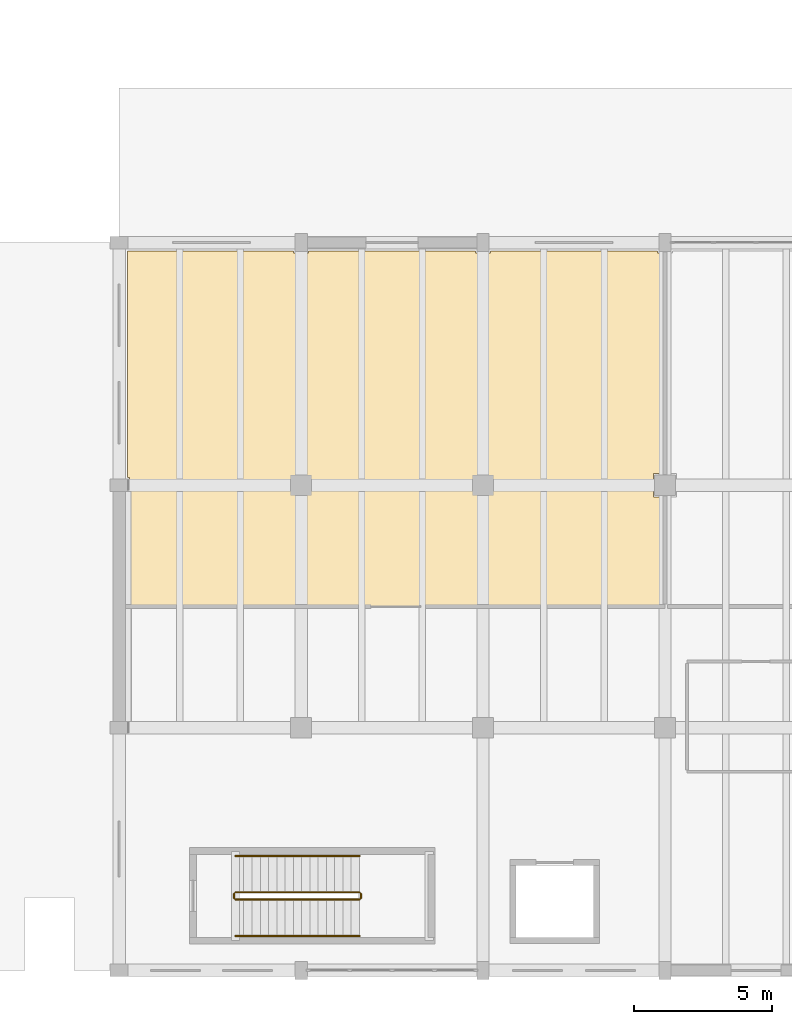
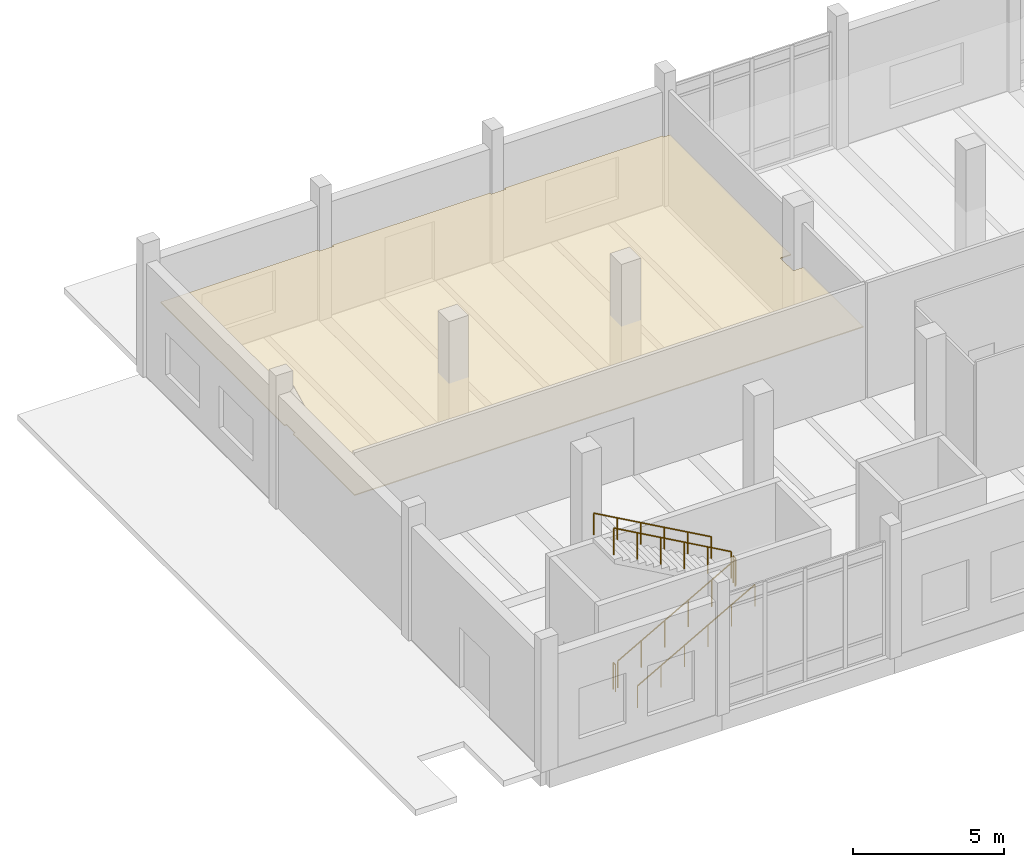
# One storey, part 61 of 72: 6 railings, 1 covering.
"""IFC4 building model written with IfcOpenShell, lengths in metres."""

import ifcopenshell
import ifcopenshell.guid

model = None  # the IFC model being written
_history = None  # IfcOwnerHistory: only IFC2X3 demands one
_inside = {}  # id of a spatial element -> (the spatial element, [elements in it])
_under = {}  # id of a project, library or spatial element -> (it, [spatial elements below it])
_declared = {}  # id of a project -> (the project, [libraries it declares])
_typed = {}  # id of a type object -> (the type object, [elements of that type])
_made_of = {}  # id of a material, layer set ... -> (it, [elements and type objects made of it])


def new_model(schema):
    """Start an empty IFC model of exactly this schema.

    Asked for "IFC4X3", IfcOpenShell would pick the latest addendum, in which some entities
    have other attributes; the version numbers below select the first issue.
    IFC2X3 requires an IfcOwnerHistory on every rooted entity: one is made here for all.
    """
    global model, _history
    if schema == "IFC4X3":
        model = ifcopenshell.file(schema_version=(4, 3, 0, 0))
    else:
        model = ifcopenshell.file(schema=schema)
    _inside.clear()
    _under.clear()
    _declared.clear()
    _typed.clear()
    _made_of.clear()
    _history = None
    if model.schema == "IFC2X3":
        org = make("IfcOrganization", Name="unknown")
        user = make(
            "IfcPersonAndOrganization",
            ThePerson=make("IfcPerson", FamilyName="unknown"),
            TheOrganization=org,
        )
        app = make(
            "IfcApplication",
            ApplicationDeveloper=org,
            Version="unknown",
            ApplicationFullName="unknown",
            ApplicationIdentifier="unknown",
        )
        _history = make(
            "IfcOwnerHistory",
            OwningUser=user,
            OwningApplication=app,
            ChangeAction="ADDED",
            CreationDate=0,
        )
    return model


def make(cls, **values):
    """One entity of the class cls with the attributes given. An attribute that is None is left unset."""
    return model.create_entity(
        cls, **{name: value for name, value in values.items() if value is not None}
    )


def rooted(cls, **values):
    """An entity with a GlobalId (a new one), such as an element, a storey or a relation."""
    return make(cls, GlobalId=ifcopenshell.guid.new(), OwnerHistory=_history, **values)


def si_unit(unit_type, name, prefix=None):
    """IfcSIUnit, for example si_unit("LENGTHUNIT", "METRE", prefix="MILLI")."""
    return make("IfcSIUnit", UnitType=unit_type, Prefix=prefix, Name=name)


def assignment(units):
    """IfcUnitAssignment: the units of a project."""
    return None if units is None else make("IfcUnitAssignment", Units=units)


def point(xyz):
    """IfcCartesianPoint."""
    return None if xyz is None else make("IfcCartesianPoint", Coordinates=xyz)


def direction(xyz):
    """IfcDirection."""
    return None if xyz is None else make("IfcDirection", DirectionRatios=xyz)


def frame(location, z_axis=None, x_axis=None):
    """IfcAxis2Placement3D, a coordinate frame: its origin and axes. An axis left out is left unset."""
    return make(
        "IfcAxis2Placement3D",
        Location=point(location),
        Axis=direction(z_axis),
        RefDirection=direction(x_axis),
    )


def frame_2d(location, x_axis=None):
    """IfcAxis2Placement2D, a coordinate frame in the plane: its origin and x axis."""
    return make(
        "IfcAxis2Placement2D", Location=point(location), RefDirection=direction(x_axis)
    )


def origin():
    """The frame at (0, 0, 0) with its axes left unset."""
    return frame((0.0, 0.0, 0.0))


def origin_2d():
    """The frame at (0, 0) in the plane with its x axis left unset."""
    return frame_2d((0.0, 0.0))


def place(relative_to, where):
    """IfcLocalPlacement: puts the frame where relative to a parent placement (None: the world)."""
    return make(
        "IfcLocalPlacement", PlacementRelTo=relative_to, RelativePlacement=where
    )


def context(
    kind, dimensions, precision=None, world=None, true_north=None, identifier=None
):
    """IfcGeometricRepresentationContext, for example the 3D "Model" context."""
    return make(
        "IfcGeometricRepresentationContext",
        ContextIdentifier=identifier,
        ContextType=kind,
        CoordinateSpaceDimension=dimensions,
        Precision=precision,
        WorldCoordinateSystem=world,
        TrueNorth=true_north,
    )


def subcontext(parent, identifier, kind, view, scale=None):
    """IfcGeometricRepresentationSubContext, for example "Body" below "Model"."""
    return make(
        "IfcGeometricRepresentationSubContext",
        ContextIdentifier=identifier,
        ContextType=kind,
        ParentContext=parent,
        TargetScale=scale,
        TargetView=view,
    )


def project(units=None, contexts=None):
    """IfcProject with its units and contexts."""
    return rooted(
        "IfcProject",
        Name="project",
        RepresentationContexts=contexts,
        UnitsInContext=assignment(units),
    )


def spatial(cls, under=None, at=None, **own):
    """A site, building, storey or space (cls), placed at a placement, below another one or the project."""
    s = rooted(cls, ObjectPlacement=at, **own)
    if under is not None:
        _under.setdefault(under.id(), (under, []))[1].append(s)
    return s


def polyline(points):
    """IfcPolyline through the points."""
    return make("IfcPolyline", Points=[point(p) for p in points])


def profile(cls, at=None, kind="AREA", **sizes):
    """A parametric profile (cls). Its sizes go by their IFC names, for example OverallWidth=200.0."""
    return make(cls, ProfileType=kind, Position=at, **sizes)


def circle(**sizes):
    """IfcCircleProfileDef."""
    return profile("IfcCircleProfileDef", **sizes)


def outline(outer, holes=None, kind="AREA"):
    """IfcArbitraryClosedProfileDef: a profile drawn as a closed curve; with holes, ...WithVoids."""
    if holes is None:
        return make("IfcArbitraryClosedProfileDef", ProfileType=kind, OuterCurve=outer)
    return make(
        "IfcArbitraryProfileDefWithVoids",
        ProfileType=kind,
        OuterCurve=outer,
        InnerCurves=holes,
    )


def extrude(swept, where, along, depth):
    """IfcExtrudedAreaSolid: the profile swept, set in the frame where, extruded along a direction by depth."""
    return make(
        "IfcExtrudedAreaSolid",
        SweptArea=swept,
        Position=where,
        ExtrudedDirection=direction(along),
        Depth=depth,
    )


def shape(context_of_items, identifier, shape_type, items):
    """IfcShapeRepresentation: the items that make up one representation, for example the "Body"."""
    return make(
        "IfcShapeRepresentation",
        ContextOfItems=context_of_items,
        RepresentationIdentifier=identifier,
        RepresentationType=shape_type,
        Items=items,
    )


def material(Name=None, Category=None):
    """IfcMaterial."""
    return make("IfcMaterial", Name=Name, Category=Category)


def layer(
    of_material, thickness, ventilated=None, Name=None, Category=None, Priority=None
):
    """IfcMaterialLayer: one layer of a wall or slab, of a material (None: an air gap)."""
    return make(
        "IfcMaterialLayer",
        Material=of_material,
        LayerThickness=thickness,
        IsVentilated=ventilated,
        Name=Name,
        Category=Category,
        Priority=Priority,
    )


def layer_set(layers, Name=None):
    """IfcMaterialLayerSet."""
    return make("IfcMaterialLayerSet", MaterialLayers=layers, LayerSetName=Name)


def made_of(thing, what):
    """Note that an element or type object is made of a material, layer set ...; save() writes the relation."""
    if what is not None:
        _made_of.setdefault(what.id(), (what, []))[1].append(thing)
    return thing


def type_object(cls, material=None, **own):
    """A type object (cls), such as IfcWallType, which elements share."""
    return made_of(rooted(cls, **own), material)


def element(
    cls,
    number,
    at=None,
    inside=None,
    cuts=None,
    type_object=None,
    material=None,
    context=None,
    identifier="Body",
    shape_type=None,
    held_by="IfcProductDefinitionShape",
    body=None,
    shapes=None,
    **own,
):
    """One element of the class cls, such as IfcWall. Its Tag is "e" and its number.

    at: its placement. inside: the storey or other place that contains it. cuts: it is an
    opening in that element (IfcRelVoidsElement). A single representation is given by context,
    identifier, shape_type and body (its items); several are given by shapes. held_by: the class
    of the entity that holds the representations. save() writes the other relations.
    """
    e = rooted(cls, Tag="e%d" % number, ObjectPlacement=at, **own)
    if body is not None:
        shapes = [shape(context, identifier, shape_type, body)]
    if shapes is not None:
        e.Representation = make(held_by, Representations=shapes)
    if inside is not None:
        _inside.setdefault(inside.id(), (inside, []))[1].append(e)
    if cuts is not None:
        rooted(
            "IfcRelVoidsElement", RelatingBuildingElement=cuts, RelatedOpeningElement=e
        )
    if type_object is not None:
        _typed.setdefault(type_object.id(), (type_object, []))[1].append(e)
    return made_of(e, material)


def aggregate(whole, parts):
    """IfcRelAggregates: a whole, such as a stair, and the parts it consists of."""
    return rooted("IfcRelAggregates", RelatingObject=whole, RelatedObjects=parts)


def save(model, path):
    """Write the relations noted so far, then the file.

    IfcRelAggregates (storeys below a building ...), IfcRelContainedInSpatialStructure (elements
    in a storey), IfcRelDefinesByType, IfcRelAssociatesMaterial and IfcRelDeclares: one each for
    every whole, place, type object, material and project.
    """
    for whole, parts in _under.values():
        aggregate(whole, parts)
    for where, things in _inside.values():
        rooted(
            "IfcRelContainedInSpatialStructure",
            RelatedElements=things,
            RelatingStructure=where,
        )
    for kind, things in _typed.values():
        rooted("IfcRelDefinesByType", RelatedObjects=things, RelatingType=kind)
    for what, things in _made_of.values():
        rooted("IfcRelAssociatesMaterial", RelatedObjects=things, RelatingMaterial=what)
    for by, libraries in _declared.values():
        rooted("IfcRelDeclares", RelatingContext=by, RelatedDefinitions=libraries)
    model.write(path)


model = new_model("IFC4")

# Units and contexts
model_context = context("Model", 3, precision=1e-05, world=origin(), true_north=direction((0.0, 1.0)))
body_context = subcontext(model_context, "Body", "Model", "MODEL_VIEW")
ifc_project = project(units=[si_unit("LENGTHUNIT", "METRE"), si_unit("AREAUNIT", "SQUARE_METRE"), si_unit("VOLUMEUNIT", "CUBIC_METRE"), si_unit("PLANEANGLEUNIT", "RADIAN"), si_unit("MASSUNIT", "GRAM", prefix="KILO")], contexts=[model_context])

# Site, building, storey
site_placement = place(None, origin())
site = spatial("IfcSite", under=ifc_project, at=site_placement, CompositionType="ELEMENT")
building_placement = place(site_placement, origin())
building = spatial("IfcBuilding", under=site, at=building_placement, Name="Dornvale Research Institute", CompositionType="ELEMENT")
storey_placement = place(building_placement, origin())
storey = spatial("IfcBuildingStorey", under=building, at=storey_placement, Name="L00", CompositionType="ELEMENT", Elevation=0.0)

# Covering
ifc_material_1 = material(Name="Flush Cleanroom Aluminum Walk-On HEPA Ceiling Grid", Category="aluminium")
ifc_layer_1 = layer(ifc_material_1, 0.0400390625)
ifc_layer_set_1 = layer_set([ifc_layer_1], Name="Flush Cleanroom Aluminum Walk-On HEPA Ceiling Grid")
covering_type = type_object("IfcCoveringType", Name="Covering_Cleanroom_HEPA_Ceiling", PredefinedType="CEILING", material=ifc_layer_set_1)
covering_placement = place(storey_placement, frame((0.0, 0.0, 2.85009765625)))
element("IfcCovering", 1, at=covering_placement, inside=storey, type_object=covering_type, Name="L00 Cleanroom Gowning Airlock L00 suspended ceiling", PredefinedType="CEILING", context=body_context, shape_type="SweptSolid", body=[
    extrude(outline(polyline([(112.47509765625, 26.02490234375), (112.47509765625, 26.10009765625), (118.52490234375, 26.10009765625), (118.52490234375, 26.02490234375), (118.780029296875, 26.02490234375), (118.780029296875, 18.02490234375), (118.375, 18.02490234375), (118.375, 17.175048828125), (118.780029296875, 17.175048828125), (118.780029296875, 13.219970703125), (99.300048828125, 13.219970703125), (99.300048828125, 17.324951171875), (99.375, 17.324951171875), (99.375, 17.875), (99.300048828125, 17.875), (99.300048828125, 26.10009765625), (105.324951171875, 26.10009765625), (105.324951171875, 26.02490234375), (105.875, 26.02490234375), (105.875, 26.10009765625), (111.925048828125, 26.10009765625), (111.925048828125, 26.02490234375), (112.47509765625, 26.02490234375)])), origin(), (0.0, 0.0, 1.0), 0.039794921875),
])

# Railings
ifc_material_2 = material(Name="Galvanized Painted Tubular Steel Stair Rail", Category="steel")
ifc_layer_2 = layer(ifc_material_2, 0.050048828125)
ifc_layer_set_2 = layer_set([ifc_layer_2], Name="Galvanized Painted Tubular Steel Stair Rail")
railing_type_1 = type_object("IfcRailingType", Name="Railing_Stair_Guard_1100", PredefinedType="GUARDRAIL", material=ifc_layer_set_2)
railing_1_placement = place(storey_placement, frame((103.219970703125, 2.570068359375, 0.168701171875)))
element("IfcRailing", 2, at=railing_1_placement, inside=storey, type_object=railing_type_1, Name="L00 ST-5 stair guard 1", PredefinedType="GUARDRAIL", context=body_context, shape_type="SweptSolid", body=[
    extrude(circle(Radius=0.02392578125, at=origin_2d()), frame((0.0, 0.0, 1.076171875), z_axis=(0.871575537125, 0.0, 0.490261239633), x_axis=(0.0, 1.0, 0.0)), (0.0, 0.0, 1.0), 5.1630859375),
    extrude(circle(Radius=0.02099609375, at=origin_2d()), origin(), (0.0, 0.0, 1.0), 1.052001953125),
    extrude(circle(Radius=0.02099609375, at=origin_2d()), frame((0.89990234375, 0.0, 0.50634765625)), (0.0, 0.0, 1.0), 1.052001953125),
    extrude(circle(Radius=0.02099609375, at=origin_2d()), frame((1.800048828125, 0.0, 1.012451171875)), (0.0, 0.0, 1.0), 1.052001953125),
    extrude(circle(Radius=0.02099609375, at=origin_2d()), frame((2.699951171875, 0.0, 1.518798828125)), (0.0, 0.0, 1.0), 1.052001953125),
    extrude(circle(Radius=0.02099609375, at=origin_2d()), frame((3.60009765625, 0.0, 2.02490234375)), (0.0, 0.0, 1.0), 1.052001953125),
    extrude(circle(Radius=0.02099609375, at=origin_2d()), frame((4.5, 0.0, 2.53125)), (0.0, 0.0, 1.0), 1.052001953125),
])
railing_2_placement = place(storey_placement, frame((107.77001953125, 2.6201171875, 2.699951171875)))
element("IfcRailing", 3, at=railing_2_placement, inside=storey, type_object=railing_type_1, Name="L00 ST-5 stair guard 2", PredefinedType="GUARDRAIL", context=body_context, shape_type="SweptSolid", body=[
    extrude(circle(Radius=0.02392578125, at=origin_2d()), frame((0.0, 0.0, 1.076171875), z_axis=(0.0, 1.0, 0.0), x_axis=(-1.0, 0.0, 0.0)), (0.0, 0.0, 1.0), 0.159912109375),
    extrude(circle(Radius=0.02099609375, at=origin_2d()), origin(), (0.0, 0.0, 1.0), 1.052001953125),
    extrude(circle(Radius=0.02099609375, at=origin_2d()), frame((0.0, 0.159912109375, 0.0)), (0.0, 0.0, 1.0), 1.052001953125),
])
railing_3_placement = place(storey_placement, frame((107.719970703125, 2.830078125, 2.86865234375)))
element("IfcRailing", 4, at=railing_3_placement, inside=storey, type_object=railing_type_1, Name="L00 ST-5 stair guard 3", PredefinedType="GUARDRAIL", context=body_context, shape_type="SweptSolid", body=[
    extrude(circle(Radius=0.02392578125, at=origin_2d()), frame((0.0, 0.0, 1.076171875), z_axis=(-0.871575537125, 0.0, 0.490261239633), x_axis=(0.0, -1.0, 0.0)), (0.0, 0.0, 1.0), 5.1630859375),
    extrude(circle(Radius=0.02099609375, at=origin_2d()), origin(), (0.0, 0.0, 1.0), 1.052001953125),
    extrude(circle(Radius=0.02099609375, at=origin_2d()), frame((-0.89990234375, 0.0, 0.50634765625)), (0.0, 0.0, 1.0), 1.052001953125),
    extrude(circle(Radius=0.02099609375, at=origin_2d()), frame((-1.800048828125, 0.0, 1.012451171875)), (0.0, 0.0, 1.0), 1.052001953125),
    extrude(circle(Radius=0.02099609375, at=origin_2d()), frame((-2.699951171875, 0.0, 1.518798828125)), (0.0, 0.0, 1.0), 1.052001953125),
    extrude(circle(Radius=0.02099609375, at=origin_2d()), frame((-3.60009765625, 0.0, 2.02490234375)), (0.0, 0.0, 1.0), 1.052001953125),
    extrude(circle(Radius=0.02099609375, at=origin_2d()), frame((-4.5, 0.0, 2.53125)), (0.0, 0.0, 1.0), 1.052001953125),
])
railing_4_placement = place(storey_placement, frame((103.169921875, 2.6201171875, 0.0)))
element("IfcRailing", 5, at=railing_4_placement, inside=storey, type_object=railing_type_1, Name="L00 ST-5 stair guard 4", PredefinedType="GUARDRAIL", context=body_context, shape_type="SweptSolid", body=[
    extrude(circle(Radius=0.02392578125, at=origin_2d()), frame((0.0, 0.0, 1.076171875), z_axis=(0.0, 1.0, 0.0), x_axis=(-1.0, 0.0, 0.0)), (0.0, 0.0, 1.0), 0.159912109375),
    extrude(circle(Radius=0.02099609375, at=origin_2d()), origin(), (0.0, 0.0, 1.0), 1.052001953125),
    extrude(circle(Radius=0.02099609375, at=origin_2d()), frame((0.0, 0.159912109375, 0.0)), (0.0, 0.0, 1.0), 1.052001953125),
])
ifc_material_3 = material(Name="Galvanized Painted Tubular Steel Stair Rail", Category="steel")
ifc_layer_3 = layer(ifc_material_3, 0.044921875)
ifc_layer_set_3 = layer_set([ifc_layer_3], Name="Galvanized Painted Tubular Steel Stair Rail")
railing_type_2 = type_object("IfcRailingType", Name="Railing_Stair_Handrail_900", PredefinedType="HANDRAIL", material=ifc_layer_set_3)
railing_5_placement = place(storey_placement, frame((103.219970703125, 1.25, 0.168701171875)))
element("IfcRailing", 6, at=railing_5_placement, inside=storey, type_object=railing_type_2, Name="L00 ST-5 stair handrail 1", PredefinedType="HANDRAIL", context=body_context, shape_type="SweptSolid", body=[
    extrude(circle(Radius=0.02392578125, at=origin_2d()), frame((0.0, 0.0, 0.8759765625), z_axis=(0.871575537125, 0.0, 0.490261239633), x_axis=(0.0, 1.0, 0.0)), (0.0, 0.0, 1.0), 5.1630859375),
    extrude(circle(Radius=0.02099609375, at=origin_2d()), origin(), (0.0, 0.0, 1.0), 0.851806640625),
    extrude(circle(Radius=0.02099609375, at=origin_2d()), frame((0.89990234375, 0.0, 0.50634765625)), (0.0, 0.0, 1.0), 0.851806640625),
    extrude(circle(Radius=0.02099609375, at=origin_2d()), frame((1.800048828125, 0.0, 1.012451171875)), (0.0, 0.0, 1.0), 0.851806640625),
    extrude(circle(Radius=0.02099609375, at=origin_2d()), frame((2.699951171875, 0.0, 1.518798828125)), (0.0, 0.0, 1.0), 0.851806640625),
    extrude(circle(Radius=0.02099609375, at=origin_2d()), frame((3.60009765625, 0.0, 2.02490234375)), (0.0, 0.0, 1.0), 0.851806640625),
    extrude(circle(Radius=0.02099609375, at=origin_2d()), frame((4.5, 0.0, 2.53125)), (0.0, 0.0, 1.0), 0.851806640625),
])
railing_6_placement = place(storey_placement, frame((107.719970703125, 4.14990234375, 2.86865234375)))
element("IfcRailing", 7, at=railing_6_placement, inside=storey, type_object=railing_type_2, Name="L00 ST-5 stair handrail 2", PredefinedType="HANDRAIL", context=body_context, shape_type="SweptSolid", body=[
    extrude(circle(Radius=0.02392578125, at=origin_2d()), frame((0.0, 0.0, 0.8759765625), z_axis=(-0.871575537125, 0.0, 0.490261239633), x_axis=(0.0, -1.0, 0.0)), (0.0, 0.0, 1.0), 5.1630859375),
    extrude(circle(Radius=0.02099609375, at=origin_2d()), origin(), (0.0, 0.0, 1.0), 0.851806640625),
    extrude(circle(Radius=0.02099609375, at=origin_2d()), frame((-0.89990234375, 0.0, 0.50634765625)), (0.0, 0.0, 1.0), 0.851806640625),
    extrude(circle(Radius=0.02099609375, at=origin_2d()), frame((-1.800048828125, 0.0, 1.012451171875)), (0.0, 0.0, 1.0), 0.851806640625),
    extrude(circle(Radius=0.02099609375, at=origin_2d()), frame((-2.699951171875, 0.0, 1.518798828125)), (0.0, 0.0, 1.0), 0.851806640625),
    extrude(circle(Radius=0.02099609375, at=origin_2d()), frame((-3.60009765625, 0.0, 2.02490234375)), (0.0, 0.0, 1.0), 0.851806640625),
    extrude(circle(Radius=0.02099609375, at=origin_2d()), frame((-4.5, 0.0, 2.53125)), (0.0, 0.0, 1.0), 0.851806640625),
])

save(model, "model.ifc")
